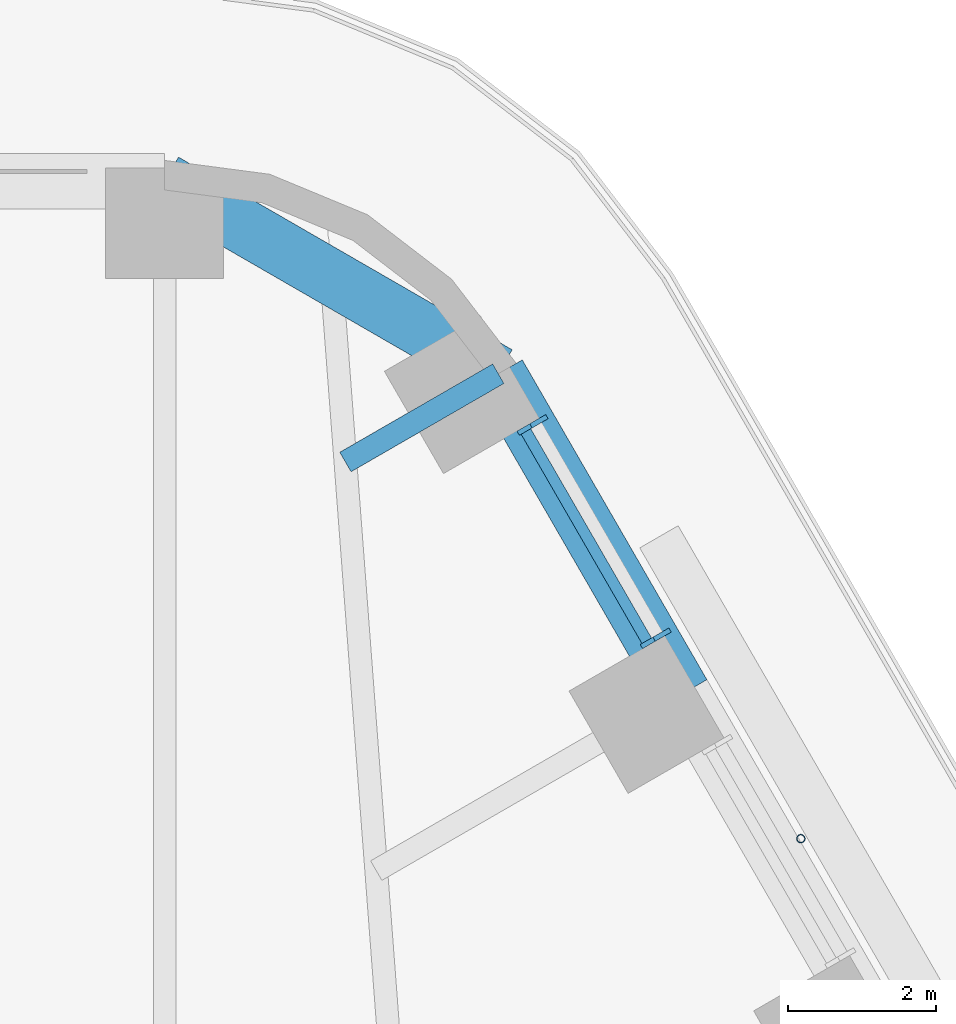
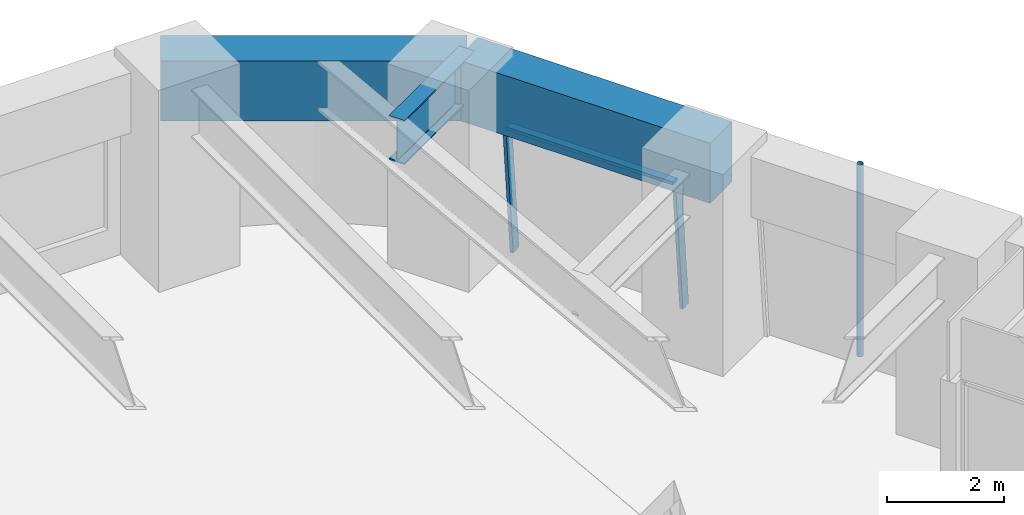
# One storey, part 13 of 24: 4 members, 3 beams, 1 element without a shape of its own.
"""IFC4 building model written with IfcOpenShell, lengths in metres."""

from ifc_helpers import new_model, si_unit, direction, frame, origin, origin_2d, place, context, subcontext, project, spatial, rectangle, hollow_circle, i_section, extrude, material, material_profile, profile_set, type_object, element, aggregate, save


model = new_model("IFC4")

# Units and contexts
model_context = context("Model", 3, precision=1e-05, world=origin(), true_north=direction((0.0, 1.0)))
body_context = subcontext(model_context, "Body", "Model", "MODEL_VIEW")
ifc_project = project(units=[si_unit("LENGTHUNIT", "METRE"), si_unit("AREAUNIT", "SQUARE_METRE"), si_unit("VOLUMEUNIT", "CUBIC_METRE"), si_unit("PLANEANGLEUNIT", "RADIAN"), si_unit("MASSUNIT", "GRAM", prefix="KILO")], contexts=[model_context])

# Site, building, storey
site_placement = place(None, origin())
site = spatial("IfcSite", under=ifc_project, at=site_placement, CompositionType="ELEMENT")
building_placement = place(site_placement, origin())
building = spatial("IfcBuilding", under=site, at=building_placement, Name="Tarfa Lantern Tower", CompositionType="ELEMENT")
storey_placement = place(building_placement, frame((0.0, 0.0, 153.10009765625)))
storey = spatial("IfcBuildingStorey", under=building, at=storey_placement, Name="L34", CompositionType="ELEMENT", Elevation=153.10009765625)

# Curtain wall, members
ifc_material_1 = material(Name="Aluminium framed curtain wall", Category="aluminium")
curtain_wall_type = type_object("IfcCurtainWallType", Name="CW2 CANTED GLAZING MID ZONE 2750", PredefinedType="USERDEFINED", material=ifc_material_1)
curtain_wall_placement = place(storey_placement, origin())
curtain_wall = element("IfcCurtainWall", 1, at=curtain_wall_placement, inside=storey, type_object=curtain_wall_type, Name="CW2 NEB L34", ObjectType="CURTAIN WALL", PredefinedType="USERDEFINED")
ifc_material_2 = material(Name="Aluminium mullion", Category="aluminium")
ifc_material_profile_1 = material_profile(ifc_material_2, rectangle(XDim=0.06494140625, YDim=0.199951171875, at=origin_2d()), Name="AL MULLION 65x200")
ifc_profile_set_1 = profile_set([ifc_material_profile_1], Name="Aluminium mullion")
member_type_1 = type_object("IfcMemberType", Name="CWM1 MULLION 65x200", PredefinedType="MULLION", material=ifc_profile_set_1)
member_1_placement = place(storey_placement, frame((21.773193359375, 25.087646484375, 0.0), z_axis=(-0.078422950161, -0.045267813396, 0.995891894715), x_axis=(0.499919672301, -0.866071776036, 0.0)))
member_1 = element("IfcMember", 2, at=member_1_placement, type_object=member_type_1, Name="CW2 mullion 1", PredefinedType="MULLION", context=body_context, shape_type="SweptSolid", body=[
    extrude(rectangle(XDim=0.06494140625, YDim=0.199951171875, at=origin_2d()), origin(), (0.0, 0.0, 1.0), 2.76123046875),
])
member_2_placement = place(storey_placement, frame((20.10400390625, 27.97900390625, 0.0), z_axis=(-0.078422950161, -0.045267813396, 0.995891894715), x_axis=(0.499919672301, -0.866071776036, 0.0)))
member_2 = element("IfcMember", 3, at=member_2_placement, type_object=member_type_1, Name="CW2 mullion 2", PredefinedType="MULLION", context=body_context, shape_type="SweptSolid", body=[
    extrude(rectangle(XDim=0.06494140625, YDim=0.199951171875, at=origin_2d()), origin(), (0.0, 0.0, 1.0), 2.76123046875),
])
ifc_material_3 = material(Name="Aluminium transom", Category="aluminium")
ifc_material_profile_2 = material_profile(ifc_material_3, rectangle(XDim=0.14990234375, YDim=0.06494140625, at=origin_2d()), Name="AL TRANSOM 150x65")
ifc_profile_set_2 = profile_set([ifc_material_profile_2], Name="Aluminium transom")
member_type_2 = type_object("IfcMemberType", Name="CWT1 TRANSOM 150x65", PredefinedType="USERDEFINED", material=ifc_profile_set_2)
member_3_placement = place(storey_placement, frame((21.54296875, 24.9921875, 2.71728515625), z_axis=(-0.499957005835, 0.866050225054, 0.0), x_axis=(-0.866050225054, -0.499957005835, 0.0)))
member_3 = element("IfcMember", 4, at=member_3_placement, type_object=member_type_2, Name="CW2 transom 1.2", ObjectType="TRANSOM", PredefinedType="USERDEFINED", context=body_context, shape_type="SweptSolid", body=[
    extrude(rectangle(XDim=0.14990234375, YDim=0.06494140625, at=origin_2d()), origin(), (0.0, 0.0, 1.0), 3.273681640625),
])
aggregate(curtain_wall, [member_1, member_2, member_3])

# Beams
ifc_material_4 = material(Name="Concrete C80/95", Category="concrete")
ifc_material_profile_3 = material_profile(ifc_material_4, rectangle(XDim=0.75, YDim=1.25, at=origin_2d()), Name="RC 750x1250")
ifc_profile_set_3 = profile_set([ifc_material_profile_3], Name="Concrete C80/95")
beam_type_1 = type_object("IfcBeamType", Name="EB2 RC 750x1250", PredefinedType="SPANDREL", material=ifc_profile_set_3)
beam_1_placement = place(storey_placement, frame((22.03369140625, 24.276611328125, 3.375), z_axis=(-0.500001197378, 0.866024712477, 0.0), x_axis=(-0.866024712477, -0.500001197378, 0.0)))
element("IfcBeam", 5, at=beam_1_placement, inside=storey, type_object=beam_type_1, Name="Edge beam NE5", PredefinedType="SPANDREL", context=body_context, shape_type="SweptSolid", body=[
    extrude(rectangle(XDim=0.75, YDim=1.25, at=origin_2d()), origin(), (0.0, 0.0, 1.0), 5.00390625),
])
beam_2_placement = place(storey_placement, frame((19.53173828125, 28.610107421875, 3.375), z_axis=(-0.86604150238, 0.499972115377, 0.0), x_axis=(-0.499972115377, -0.86604150238, 0.0)))
element("IfcBeam", 6, at=beam_2_placement, inside=storey, type_object=beam_type_1, Name="Edge beam NE6", PredefinedType="SPANDREL", context=body_context, shape_type="SweptSolid", body=[
    extrude(rectangle(XDim=0.75, YDim=1.25, at=origin_2d()), origin(), (0.0, 0.0, 1.0), 5.219970703125),
])

# Member
ifc_material_5 = material(Name="Steel S355", Category="steel")
ifc_material_profile_4 = material_profile(ifc_material_5, hollow_circle(Radius=0.05712890625, WallThickness=0.00634765625, at=origin_2d()), Name="CHS114.3x6.3")
ifc_profile_set_4 = profile_set([ifc_material_profile_4], Name="Steel S355")
member_type_3 = type_object("IfcMemberType", Name="TR1 GREEN WALL TRELLIS CHS114.3x6.3", PredefinedType="USERDEFINED", material=ifc_profile_set_4)
member_4_placement = place(storey_placement, frame((23.630859375, 22.31005859375, 0.0), z_axis=(0.0, 0.0, 1.0), x_axis=(1.0, 0.0, 0.0)))
element("IfcMember", 7, at=member_4_placement, inside=storey, type_object=member_type_3, Name="Trellis post NE 2", ObjectType="TRELLIS", PredefinedType="USERDEFINED", context=body_context, shape_type="SweptSolid", body=[
    extrude(hollow_circle(Radius=0.05712890625, WallThickness=0.00634765625, at=origin_2d()), origin(), (0.0, 0.0, 1.0), 4.0),
])

# Beam
ifc_material_6 = material(Name="Steel S460M", Category="steel")
ifc_material_profile_5 = material_profile(ifc_material_6, i_section(OverallWidth=0.305419921875, OverallDepth=0.91845703125, WebThickness=0.017333984375, FlangeThickness=0.02783203125, FilletRadius=0.01904296875, at=origin_2d()), Name="UB914x305x253")
ifc_profile_set_5 = profile_set([ifc_material_profile_5], Name="Steel S460M")
beam_type_2 = type_object("IfcBeamType", Name="UB914x305x253", PredefinedType="BEAM", material=ifc_profile_set_5)
beam_3_placement = place(storey_placement, frame((19.53173828125, 28.610107421875, 3.540771484375), z_axis=(-0.865998640954, -0.500046351717, 0.0), x_axis=(0.500046351717, -0.865998640954, 0.0)))
element("IfcBeam", 8, at=beam_3_placement, inside=storey, type_object=beam_type_2, Name="Floor beam NE6", PredefinedType="BEAM", context=body_context, shape_type="SweptSolid", body=[
    extrude(i_section(OverallWidth=0.305419921875, OverallDepth=0.91845703125, WebThickness=0.017333984375, FlangeThickness=0.02783203125, FilletRadius=0.01904296875, at=origin_2d()), origin(), (0.0, 0.0, 1.0), 2.392333984375),
])

save(model, "model.ifc")
